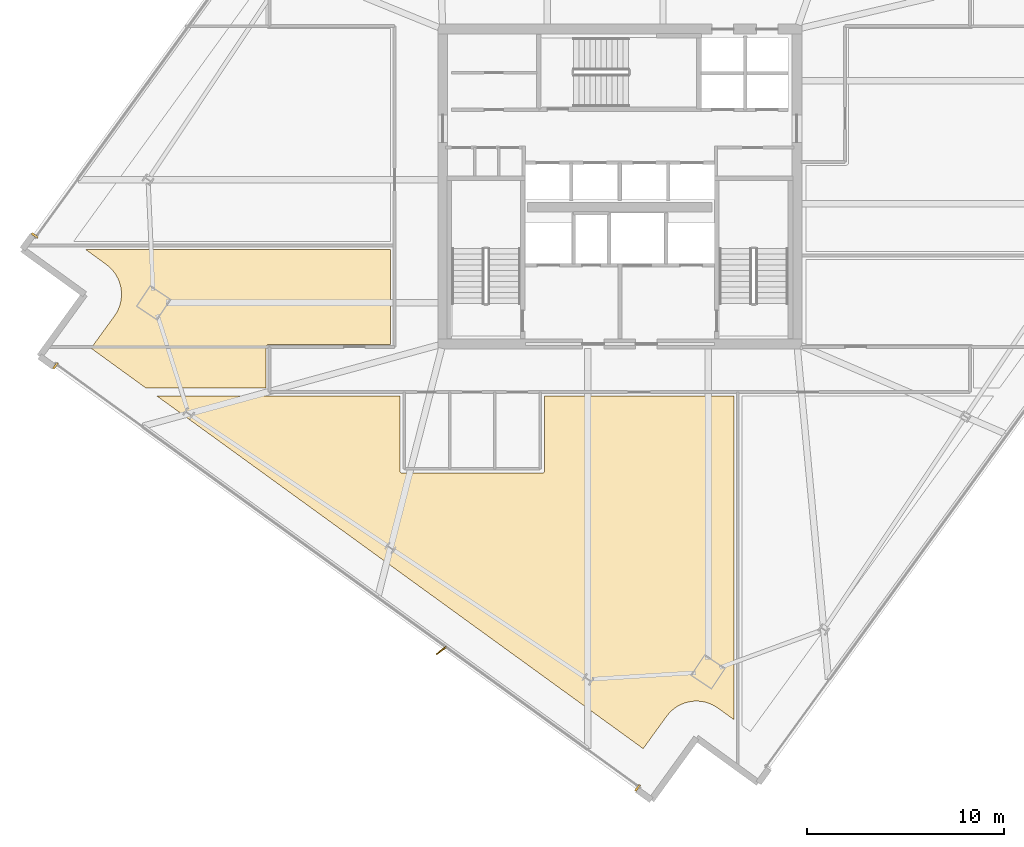
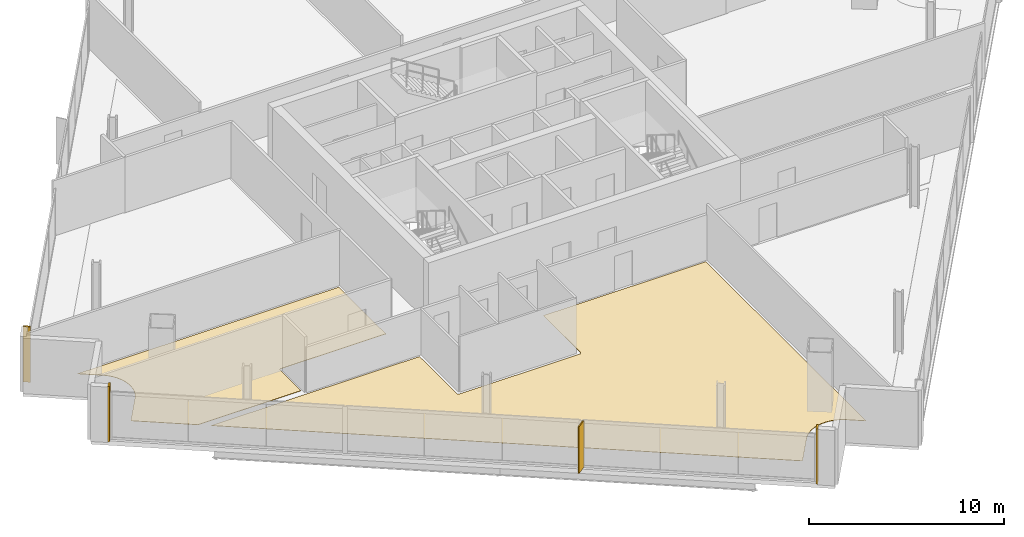
# One storey, part 25 of 29: 5 coverings, 1 shading device.
"""IFC4 building model written with IfcOpenShell, lengths in metres."""

from ifc_helpers import new_model, si_unit, direction, frame, origin, origin_2d, place, context, subcontext, project, spatial, polyline, rectangle, outline, extrude, source, transform, mapped, material, layer, layer_set, type_object, element, save


model = new_model("IFC4")

# Units and contexts
model_context = context("Model", 3, precision=1e-05, world=origin(), true_north=direction((0.0, 1.0)))
body_context = subcontext(model_context, "Body", "Model", "MODEL_VIEW")
ifc_project = project(units=[si_unit("LENGTHUNIT", "METRE"), si_unit("AREAUNIT", "SQUARE_METRE"), si_unit("VOLUMEUNIT", "CUBIC_METRE"), si_unit("PLANEANGLEUNIT", "RADIAN"), si_unit("MASSUNIT", "GRAM", prefix="KILO")], contexts=[model_context])

# Site, building, storey
site_placement = place(None, origin())
site = spatial("IfcSite", under=ifc_project, at=site_placement, CompositionType="ELEMENT")
building_placement = place(site_placement, origin())
building = spatial("IfcBuilding", under=site, at=building_placement, Name="Haldenkirk Collegiate Tower", CompositionType="ELEMENT")
storey_placement = place(building_placement, frame((0.0, 0.0, 209.699951171875)))
storey = spatial("IfcBuildingStorey", under=building, at=storey_placement, Name="L52", CompositionType="ELEMENT", Elevation=209.699951171875)

# Coverings
ifc_material_1 = material(Name="Engineered collegiate oak acoustic flooring", Category="wood")
ifc_layer_1 = layer(ifc_material_1, 0.02197265625)
ifc_layer_set_1 = layer_set([ifc_layer_1], Name="Engineered collegiate oak acoustic flooring")
covering_type_1 = type_object("IfcCoveringType", Name="COV-FLOOR-TIMBER", PredefinedType="FLOORING", material=ifc_layer_set_1)
covering_1_placement = place(storey_placement, origin())
element("IfcCovering", 1, at=covering_1_placement, inside=storey, type_object=covering_type_1, Name="L52 academic room finish 01", PredefinedType="FLOORING", context=body_context, shape_type="SweptSolid", body=[
    extrude(outline(polyline([(40.3310546875, -0.2041015625), (40.319580078125, -0.201416015625), (40.15087890625, -0.169677734375), (40.13916015625, -0.16796875), (39.968017578125, -0.153076171875), (39.956298828125, -0.152587890625), (39.78466796875, -0.154296875), (39.772705078125, -0.155029296875), (39.60205078125, -0.173583984375), (39.59033203125, -0.175537109375), (39.42236328125, -0.2109375), (39.410888671875, -0.2138671875), (39.247314453125, -0.265380859375), (39.236083984375, -0.26953125), (39.078125, -0.3369140625), (39.067626953125, -0.342041015625), (38.9169921875, -0.4248046875), (38.906982421875, -0.430908203125), (38.765380859375, -0.527587890625), (38.755859375, -0.534912109375), (38.624267578125, -0.645263671875), (38.615478515625, -0.6533203125), (38.49560546875, -0.77587890625), (38.48779296875, -0.78466796875), (38.380126953125, -0.918701171875), (38.376708984375, -0.92333984375), (37.184814453125, -2.566650390625), (12.479248046875, 15.35009765625), (24.830078125, 15.35009765625), (24.830078125, 11.550048828125), (24.83056640625, 11.5380859375), (24.832275390625, 11.526611328125), (24.835205078125, 11.51513671875), (24.839111328125, 11.504150390625), (24.84423828125, 11.493408203125), (24.85009765625, 11.4833984375), (24.857177734375, 11.473876953125), (24.864990234375, 11.465087890625), (24.873779296875, 11.457275390625), (24.88330078125, 11.4501953125), (24.893310546875, 11.444091796875), (24.904052734375, 11.439208984375), (24.915283203125, 11.435302734375), (24.926513671875, 11.432373046875), (24.938232421875, 11.4306640625), (24.949951171875, 11.429931640625), (32.050048828125, 11.429931640625), (32.061767578125, 11.4306640625), (32.073486328125, 11.432373046875), (32.084716796875, 11.435302734375), (32.095947265625, 11.439208984375), (32.106689453125, 11.444091796875), (32.11669921875, 11.4501953125), (32.126220703125, 11.457275390625), (32.135009765625, 11.465087890625), (32.142822265625, 11.473876953125), (32.14990234375, 11.4833984375), (32.15576171875, 11.493408203125), (32.160888671875, 11.504150390625), (32.164794921875, 11.51513671875), (32.167724609375, 11.526611328125), (32.16943359375, 11.5380859375), (32.169921875, 11.550048828125), (32.169921875, 15.35009765625), (41.800048828125, 15.35009765625), (41.800048828125, -1.095947265625), (40.98828125, -0.50732421875), (40.9833984375, -0.50390625), (40.839599609375, -0.41015625), (40.82958984375, -0.404296875), (40.67724609375, -0.324951171875), (40.66650390625, -0.31982421875), (40.507080078125, -0.255859375), (40.495849609375, -0.252197265625), (40.3310546875, -0.2041015625)])), origin(), (0.0, 0.0, 1.0), 0.02197265625),
])
covering_2_placement = place(storey_placement, origin())
element("IfcCovering", 2, at=covering_2_placement, inside=storey, type_object=covering_type_1, Name="L52 academic room finish 07", PredefinedType="FLOORING", context=body_context, shape_type="SweptSolid", body=[
    extrude(outline(polyline([(10.318115234375, 19.4248046875), (10.321533203125, 19.4296875), (10.41552734375, 19.573486328125), (10.42138671875, 19.583740234375), (10.500732421875, 19.736083984375), (10.505615234375, 19.74658203125), (10.569580078125, 19.906005859375), (10.573486328125, 19.917236328125), (10.62158203125, 20.08203125), (10.624267578125, 20.093505859375), (10.656005859375, 20.26220703125), (10.65771484375, 20.27392578125), (10.672607421875, 20.445068359375), (10.673095703125, 20.456787109375), (10.67138671875, 20.62841796875), (10.670654296875, 20.640380859375), (10.65185546875, 20.81103515625), (10.64990234375, 20.82275390625), (10.61474609375, 20.99072265625), (10.61181640625, 21.002197265625), (10.560302734375, 21.166015625), (10.55615234375, 21.177001953125), (10.48876953125, 21.3349609375), (10.4833984375, 21.345458984375), (10.40087890625, 21.49609375), (10.394775390625, 21.506103515625), (10.2978515625, 21.647705078125), (10.290771484375, 21.6572265625), (10.180419921875, 21.788818359375), (10.17236328125, 21.797607421875), (10.049560546875, 21.91748046875), (10.041015625, 21.92529296875), (9.906982421875, 22.032958984375), (9.902099609375, 22.03662109375), (8.849609375, 22.800048828125), (24.35009765625, 22.800048828125), (24.35009765625, 17.969970703125), (18.14990234375, 17.969970703125), (18.13818359375, 17.969482421875), (18.126708984375, 17.9677734375), (18.115234375, 17.96484375), (18.10400390625, 17.9609375), (18.093505859375, 17.955810546875), (18.083251953125, 17.94970703125), (18.073974609375, 17.94287109375), (18.065185546875, 17.934814453125), (18.05712890625, 17.926025390625), (18.05029296875, 17.916748046875), (18.044189453125, 17.906494140625), (18.0390625, 17.89599609375), (18.03515625, 17.884765625), (18.0322265625, 17.873291015625), (18.030517578125, 17.86181640625), (18.030029296875, 17.85009765625), (18.030029296875, 15.75), (11.927734375, 15.75), (9.12646484375, 17.781494140625), (10.318115234375, 19.4248046875)])), origin(), (0.0, 0.0, 1.0), 0.02197265625),
])
ifc_material_2 = material(Name="Anodised architectural bronze aluminium", Category="aluminium")
ifc_layer_2 = layer(ifc_material_2, 0.06005859375)
ifc_layer_set_2 = layer_set([ifc_layer_2], Name="Anodised architectural bronze aluminium")
covering_type_2 = type_object("IfcCoveringType", Name="COV-CLAD-BRONZE-60", PredefinedType="CLADDING", material=ifc_layer_set_2)
shared_shape_1 = source(origin(), body_context, "Body", "SweptSolid", [
    extrude(rectangle(XDim=0.10009765625, YDim=0.3798828125, at=origin_2d()), origin(), (0.0, 0.0, 1.0), 3.469970703125),
])
for number, where, z_axis, x_axis, name in (
    (3, (6.26611328125, 23.51220703125, 0.0), (0.0, 0.0, 1.0), (0.587079028057, 0.809529625656, 0.0), "L52 recessed curtain-wall bronze jamb closure NJL"),
    (4, (36.90087890625, -4.559326171875, 0.0), (0.0, 0.0, 1.0), (-0.809529625656, 0.587079028057, 0.0), "L52 recessed curtain-wall bronze jamb closure WJL"),
    (5, (7.320556640625, 16.892333984375, 0.0), (0.0, 0.0, 1.0), (-0.809529625656, 0.587079028057, 0.0), "L52 recessed curtain-wall bronze jamb closure WJR"),
):
    element("IfcCovering", number, at=place(storey_placement, frame(where, z_axis=z_axis, x_axis=x_axis)), inside=storey, type_object=covering_type_2, Name=name, PredefinedType="CLADDING", context=body_context, shape_type="MappedRepresentation", body=[
        mapped(shared_shape_1, transform((0.0, 0.0, 0.0), x_axis=(1.0, 0.0, 0.0), y_axis=(0.0, 1.0, 0.0), z_axis=(0.0, 0.0, 1.0), scale=1.0)),
    ])

# Shading device
ifc_layer_3 = layer(ifc_material_2, 0.06494140625)
ifc_layer_set_3 = layer_set([ifc_layer_3], Name="Anodised architectural bronze aluminium")
shading_device_type = type_object("IfcShadingDeviceType", Name="SHD-FIN-BRONZE-620", PredefinedType="USERDEFINED", material=ifc_layer_set_3)
shared_shape_2 = source(origin(), body_context, "Body", "SweptSolid", [
    extrude(rectangle(XDim=0.6201171875, YDim=0.06494140625, at=origin_2d()), origin(), (0.0, 0.0, 1.0), 2.927978515625),
])
shading_device_placement = place(storey_placement, frame((26.928466796875, 2.419189453125, 0.0), z_axis=(0.0, 0.0, 1.0), x_axis=(-0.787473187632, -0.616348909921, 0.0)))
element("IfcShadingDevice", 6, at=shading_device_placement, inside=storey, type_object=shading_device_type, Name="L52 folded bronze solar fin 1", ObjectType="FIN", PredefinedType="USERDEFINED", context=body_context, shape_type="MappedRepresentation", body=[
    mapped(shared_shape_2, transform((0.0, 0.0, 0.0), x_axis=(1.0, 0.0, 0.0), y_axis=(0.0, 1.0, 0.0), z_axis=(0.0, 0.0, 1.0), scale=1.0)),
])

save(model, "model.ifc")
